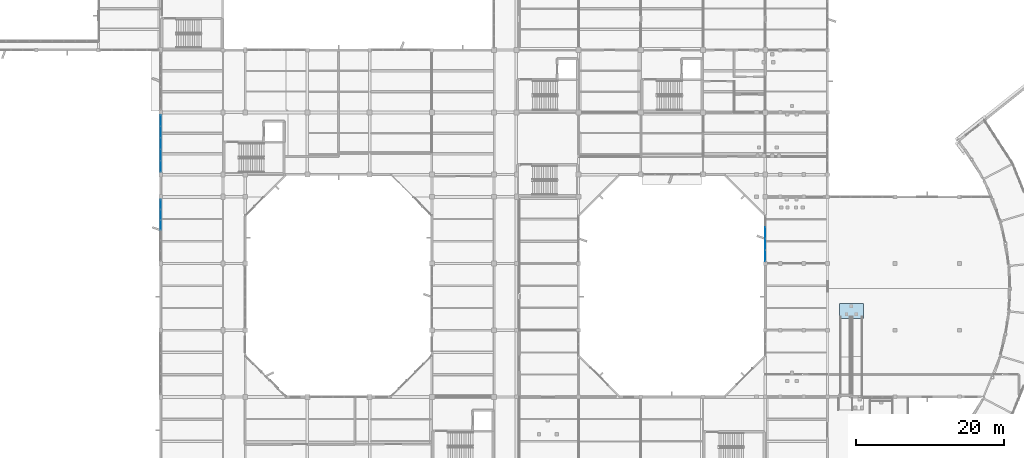
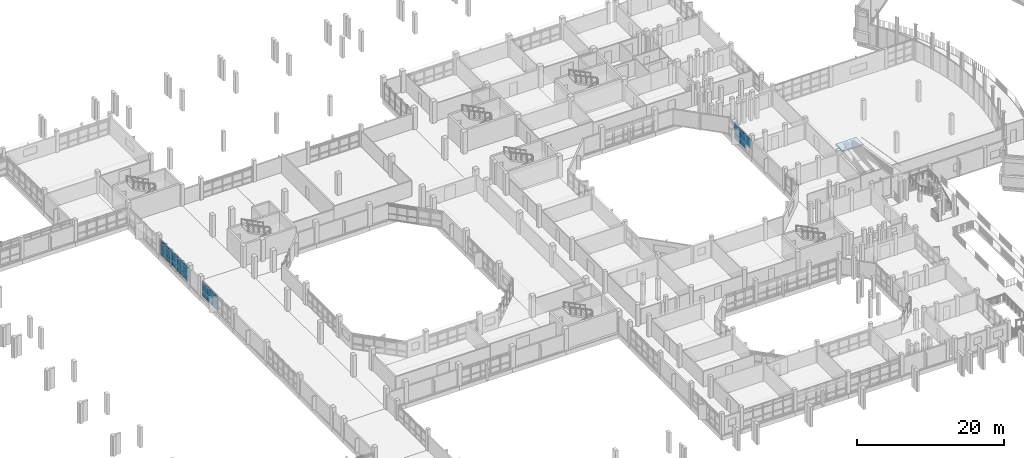
# One storey, part 57 of 104: 32 plates, 1 slab, 4 elements without a shape of their own.
"""IFC4 building model written with IfcOpenShell, lengths in metres."""

import ifcopenshell
import ifcopenshell.guid

model = None  # the IFC model being written
_history = None  # IfcOwnerHistory: only IFC2X3 demands one
_inside = {}  # id of a spatial element -> (the spatial element, [elements in it])
_under = {}  # id of a project, library or spatial element -> (it, [spatial elements below it])
_declared = {}  # id of a project -> (the project, [libraries it declares])
_typed = {}  # id of a type object -> (the type object, [elements of that type])
_made_of = {}  # id of a material, layer set ... -> (it, [elements and type objects made of it])


def new_model(schema):
    """Start an empty IFC model of exactly this schema.

    Asked for "IFC4X3", IfcOpenShell would pick the latest addendum, in which some entities
    have other attributes; the version numbers below select the first issue.
    IFC2X3 requires an IfcOwnerHistory on every rooted entity: one is made here for all.
    """
    global model, _history
    if schema == "IFC4X3":
        model = ifcopenshell.file(schema_version=(4, 3, 0, 0))
    else:
        model = ifcopenshell.file(schema=schema)
    _inside.clear()
    _under.clear()
    _declared.clear()
    _typed.clear()
    _made_of.clear()
    _history = None
    if model.schema == "IFC2X3":
        org = make("IfcOrganization", Name="unknown")
        user = make(
            "IfcPersonAndOrganization",
            ThePerson=make("IfcPerson", FamilyName="unknown"),
            TheOrganization=org,
        )
        app = make(
            "IfcApplication",
            ApplicationDeveloper=org,
            Version="unknown",
            ApplicationFullName="unknown",
            ApplicationIdentifier="unknown",
        )
        _history = make(
            "IfcOwnerHistory",
            OwningUser=user,
            OwningApplication=app,
            ChangeAction="ADDED",
            CreationDate=0,
        )
    return model


def make(cls, **values):
    """One entity of the class cls with the attributes given. An attribute that is None is left unset."""
    return model.create_entity(
        cls, **{name: value for name, value in values.items() if value is not None}
    )


def rooted(cls, **values):
    """An entity with a GlobalId (a new one), such as an element, a storey or a relation."""
    return make(cls, GlobalId=ifcopenshell.guid.new(), OwnerHistory=_history, **values)


def si_unit(unit_type, name, prefix=None):
    """IfcSIUnit, for example si_unit("LENGTHUNIT", "METRE", prefix="MILLI")."""
    return make("IfcSIUnit", UnitType=unit_type, Prefix=prefix, Name=name)


def assignment(units):
    """IfcUnitAssignment: the units of a project."""
    return None if units is None else make("IfcUnitAssignment", Units=units)


def point(xyz):
    """IfcCartesianPoint."""
    return None if xyz is None else make("IfcCartesianPoint", Coordinates=xyz)


def direction(xyz):
    """IfcDirection."""
    return None if xyz is None else make("IfcDirection", DirectionRatios=xyz)


def frame(location, z_axis=None, x_axis=None):
    """IfcAxis2Placement3D, a coordinate frame: its origin and axes. An axis left out is left unset."""
    return make(
        "IfcAxis2Placement3D",
        Location=point(location),
        Axis=direction(z_axis),
        RefDirection=direction(x_axis),
    )


def frame_2d(location, x_axis=None):
    """IfcAxis2Placement2D, a coordinate frame in the plane: its origin and x axis."""
    return make(
        "IfcAxis2Placement2D", Location=point(location), RefDirection=direction(x_axis)
    )


def origin():
    """The frame at (0, 0, 0) with its axes left unset."""
    return frame((0.0, 0.0, 0.0))


def origin_2d():
    """The frame at (0, 0) in the plane with its x axis left unset."""
    return frame_2d((0.0, 0.0))


def place(relative_to, where):
    """IfcLocalPlacement: puts the frame where relative to a parent placement (None: the world)."""
    return make(
        "IfcLocalPlacement", PlacementRelTo=relative_to, RelativePlacement=where
    )


def context(
    kind, dimensions, precision=None, world=None, true_north=None, identifier=None
):
    """IfcGeometricRepresentationContext, for example the 3D "Model" context."""
    return make(
        "IfcGeometricRepresentationContext",
        ContextIdentifier=identifier,
        ContextType=kind,
        CoordinateSpaceDimension=dimensions,
        Precision=precision,
        WorldCoordinateSystem=world,
        TrueNorth=true_north,
    )


def subcontext(parent, identifier, kind, view, scale=None):
    """IfcGeometricRepresentationSubContext, for example "Body" below "Model"."""
    return make(
        "IfcGeometricRepresentationSubContext",
        ContextIdentifier=identifier,
        ContextType=kind,
        ParentContext=parent,
        TargetScale=scale,
        TargetView=view,
    )


def project(units=None, contexts=None):
    """IfcProject with its units and contexts."""
    return rooted(
        "IfcProject",
        Name="project",
        RepresentationContexts=contexts,
        UnitsInContext=assignment(units),
    )


def spatial(cls, under=None, at=None, **own):
    """A site, building, storey or space (cls), placed at a placement, below another one or the project."""
    s = rooted(cls, ObjectPlacement=at, **own)
    if under is not None:
        _under.setdefault(under.id(), (under, []))[1].append(s)
    return s


def polyline(points):
    """IfcPolyline through the points."""
    return make("IfcPolyline", Points=[point(p) for p in points])


def profile(cls, at=None, kind="AREA", **sizes):
    """A parametric profile (cls). Its sizes go by their IFC names, for example OverallWidth=200.0."""
    return make(cls, ProfileType=kind, Position=at, **sizes)


def rectangle(**sizes):
    """IfcRectangleProfileDef."""
    return profile("IfcRectangleProfileDef", **sizes)


def outline(outer, holes=None, kind="AREA"):
    """IfcArbitraryClosedProfileDef: a profile drawn as a closed curve; with holes, ...WithVoids."""
    if holes is None:
        return make("IfcArbitraryClosedProfileDef", ProfileType=kind, OuterCurve=outer)
    return make(
        "IfcArbitraryProfileDefWithVoids",
        ProfileType=kind,
        OuterCurve=outer,
        InnerCurves=holes,
    )


def extrude(swept, where, along, depth):
    """IfcExtrudedAreaSolid: the profile swept, set in the frame where, extruded along a direction by depth."""
    return make(
        "IfcExtrudedAreaSolid",
        SweptArea=swept,
        Position=where,
        ExtrudedDirection=direction(along),
        Depth=depth,
    )


def shape(context_of_items, identifier, shape_type, items):
    """IfcShapeRepresentation: the items that make up one representation, for example the "Body"."""
    return make(
        "IfcShapeRepresentation",
        ContextOfItems=context_of_items,
        RepresentationIdentifier=identifier,
        RepresentationType=shape_type,
        Items=items,
    )


def material(Name=None, Category=None):
    """IfcMaterial."""
    return make("IfcMaterial", Name=Name, Category=Category)


def layer(
    of_material, thickness, ventilated=None, Name=None, Category=None, Priority=None
):
    """IfcMaterialLayer: one layer of a wall or slab, of a material (None: an air gap)."""
    return make(
        "IfcMaterialLayer",
        Material=of_material,
        LayerThickness=thickness,
        IsVentilated=ventilated,
        Name=Name,
        Category=Category,
        Priority=Priority,
    )


def layer_set(layers, Name=None):
    """IfcMaterialLayerSet."""
    return make("IfcMaterialLayerSet", MaterialLayers=layers, LayerSetName=Name)


def made_of(thing, what):
    """Note that an element or type object is made of a material, layer set ...; save() writes the relation."""
    if what is not None:
        _made_of.setdefault(what.id(), (what, []))[1].append(thing)
    return thing


def type_object(cls, material=None, **own):
    """A type object (cls), such as IfcWallType, which elements share."""
    return made_of(rooted(cls, **own), material)


def element(
    cls,
    number,
    at=None,
    inside=None,
    cuts=None,
    type_object=None,
    material=None,
    context=None,
    identifier="Body",
    shape_type=None,
    held_by="IfcProductDefinitionShape",
    body=None,
    shapes=None,
    **own,
):
    """One element of the class cls, such as IfcWall. Its Tag is "e" and its number.

    at: its placement. inside: the storey or other place that contains it. cuts: it is an
    opening in that element (IfcRelVoidsElement). A single representation is given by context,
    identifier, shape_type and body (its items); several are given by shapes. held_by: the class
    of the entity that holds the representations. save() writes the other relations.
    """
    e = rooted(cls, Tag="e%d" % number, ObjectPlacement=at, **own)
    if body is not None:
        shapes = [shape(context, identifier, shape_type, body)]
    if shapes is not None:
        e.Representation = make(held_by, Representations=shapes)
    if inside is not None:
        _inside.setdefault(inside.id(), (inside, []))[1].append(e)
    if cuts is not None:
        rooted(
            "IfcRelVoidsElement", RelatingBuildingElement=cuts, RelatedOpeningElement=e
        )
    if type_object is not None:
        _typed.setdefault(type_object.id(), (type_object, []))[1].append(e)
    return made_of(e, material)


def aggregate(whole, parts):
    """IfcRelAggregates: a whole, such as a stair, and the parts it consists of."""
    return rooted("IfcRelAggregates", RelatingObject=whole, RelatedObjects=parts)


def save(model, path):
    """Write the relations noted so far, then the file.

    IfcRelAggregates (storeys below a building ...), IfcRelContainedInSpatialStructure (elements
    in a storey), IfcRelDefinesByType, IfcRelAssociatesMaterial and IfcRelDeclares: one each for
    every whole, place, type object, material and project.
    """
    for whole, parts in _under.values():
        aggregate(whole, parts)
    for where, things in _inside.values():
        rooted(
            "IfcRelContainedInSpatialStructure",
            RelatedElements=things,
            RelatingStructure=where,
        )
    for kind, things in _typed.values():
        rooted("IfcRelDefinesByType", RelatedObjects=things, RelatingType=kind)
    for what, things in _made_of.values():
        rooted("IfcRelAssociatesMaterial", RelatedObjects=things, RelatingMaterial=what)
    for by, libraries in _declared.values():
        rooted("IfcRelDeclares", RelatingContext=by, RelatedDefinitions=libraries)
    model.write(path)


model = new_model("IFC4")

# Units and contexts
model_context = context("Model", 3, precision=1e-05, world=origin(), true_north=direction((0.0, 1.0)))
body_context = subcontext(model_context, "Body", "Model", "MODEL_VIEW")
ifc_project = project(units=[si_unit("LENGTHUNIT", "METRE"), si_unit("AREAUNIT", "SQUARE_METRE"), si_unit("VOLUMEUNIT", "CUBIC_METRE"), si_unit("PLANEANGLEUNIT", "RADIAN"), si_unit("MASSUNIT", "GRAM", prefix="KILO")], contexts=[model_context])

# Site, building, storey
site_placement = place(None, origin())
site = spatial("IfcSite", under=ifc_project, at=site_placement, CompositionType="ELEMENT")
building_placement = place(site_placement, origin())
building = spatial("IfcBuilding", under=site, at=building_placement, Name="Vanh Quang Courtyard School", CompositionType="ELEMENT")
storey_placement = place(building_placement, frame((0.0, 0.0, 4.199951171875)))
storey = spatial("IfcBuildingStorey", under=building, at=storey_placement, Name="L01", CompositionType="ELEMENT", Elevation=4.199951171875)

# Curtain wall, plates
ifc_material_1 = material(Name="Thermally broken aluminium unitised curtain wall", Category="aluminium")
curtain_wall_type_1 = type_object("IfcCurtainWallType", Name="CW-SYS-21", PredefinedType="NOTDEFINED", material=ifc_material_1)
curtain_wall_1_placement = place(storey_placement, origin())
curtain_wall_1 = element("IfcCurtainWall", 1, at=curtain_wall_1_placement, inside=storey, type_object=curtain_wall_type_1, Name="Curtain Wall CW-21 (L01)", PredefinedType="NOTDEFINED")
ifc_material_2 = material(Name="Low-E laminated double glazing", Category="glass")
ifc_layer_1 = layer(ifc_material_2, 0.028076171875)
ifc_layer_set_1 = layer_set([ifc_layer_1], Name="Low-E laminated double glazing")
plate_type_1 = type_object("IfcPlateType", Name="CW-PNL-28", PredefinedType="CURTAIN_PANEL", material=ifc_layer_set_1)
plate_1_placement = place(storey_placement, frame((29.39990234375, 72.521484375, 0.06005859375), z_axis=(0.0, 0.0, 1.0), x_axis=(0.0, 1.0, 0.0)))
plate_1 = element("IfcPlate", 2, at=plate_1_placement, type_object=plate_type_1, Name="CW-21 panel 1.1", PredefinedType="CURTAIN_PANEL", context=body_context, shape_type="SweptSolid", body=[
    extrude(rectangle(XDim=1.456787109375, YDim=0.028076171875, at=origin_2d()), origin(), (0.0, 0.0, 1.0), 0.860107421875),
])
plate_2_placement = place(storey_placement, frame((29.39990234375, 72.521484375, 0.97998046875), z_axis=(0.0, 0.0, 1.0), x_axis=(0.0, 1.0, 0.0)))
plate_2 = element("IfcPlate", 3, at=plate_2_placement, type_object=plate_type_1, Name="CW-21 panel 1.2", PredefinedType="CURTAIN_PANEL", context=body_context, shape_type="SweptSolid", body=[
    extrude(rectangle(XDim=1.456787109375, YDim=0.028076171875, at=origin_2d()), origin(), (0.0, 0.0, 1.0), 1.239990234375),
])
plate_3_placement = place(storey_placement, frame((29.39990234375, 72.521484375, 2.2802734375), z_axis=(0.0, 0.0, 1.0), x_axis=(0.0, 1.0, 0.0)))
plate_3 = element("IfcPlate", 4, at=plate_3_placement, type_object=plate_type_1, Name="CW-21 panel 1.3", PredefinedType="CURTAIN_PANEL", context=body_context, shape_type="SweptSolid", body=[
    extrude(rectangle(XDim=1.456787109375, YDim=0.028076171875, at=origin_2d()), origin(), (0.0, 0.0, 1.0), 0.239990234375),
])
plate_4_placement = place(storey_placement, frame((29.39990234375, 74.05322265625, 0.06005859375), z_axis=(0.0, 0.0, 1.0), x_axis=(0.0, 1.0, 0.0)))
plate_4 = element("IfcPlate", 5, at=plate_4_placement, type_object=plate_type_1, Name="CW-21 panel 2.1", PredefinedType="CURTAIN_PANEL", context=body_context, shape_type="SweptSolid", body=[
    extrude(rectangle(XDim=1.48681640625, YDim=0.028076171875, at=origin_2d()), origin(), (0.0, 0.0, 1.0), 0.860107421875),
])
plate_5_placement = place(storey_placement, frame((29.39990234375, 74.05322265625, 0.97998046875), z_axis=(0.0, 0.0, 1.0), x_axis=(0.0, 1.0, 0.0)))
plate_5 = element("IfcPlate", 6, at=plate_5_placement, type_object=plate_type_1, Name="CW-21 panel 2.2", PredefinedType="CURTAIN_PANEL", context=body_context, shape_type="SweptSolid", body=[
    extrude(rectangle(XDim=1.48681640625, YDim=0.028076171875, at=origin_2d()), origin(), (0.0, 0.0, 1.0), 1.239990234375),
])
plate_6_placement = place(storey_placement, frame((29.39990234375, 74.05322265625, 2.2802734375), z_axis=(0.0, 0.0, 1.0), x_axis=(0.0, 1.0, 0.0)))
plate_6 = element("IfcPlate", 7, at=plate_6_placement, type_object=plate_type_1, Name="CW-21 panel 2.3", PredefinedType="CURTAIN_PANEL", context=body_context, shape_type="SweptSolid", body=[
    extrude(rectangle(XDim=1.48681640625, YDim=0.028076171875, at=origin_2d()), origin(), (0.0, 0.0, 1.0), 0.239990234375),
])
plate_7_placement = place(storey_placement, frame((29.39990234375, 75.60009765625, 0.06005859375), z_axis=(0.0, 0.0, 1.0), x_axis=(0.0, 1.0, 0.0)))
plate_7 = element("IfcPlate", 8, at=plate_7_placement, type_object=plate_type_1, Name="CW-21 panel 3.1", PredefinedType="CURTAIN_PANEL", context=body_context, shape_type="SweptSolid", body=[
    extrude(rectangle(XDim=1.48681640625, YDim=0.028076171875, at=origin_2d()), origin(), (0.0, 0.0, 1.0), 0.860107421875),
])
plate_8_placement = place(storey_placement, frame((29.39990234375, 75.60009765625, 0.97998046875), z_axis=(0.0, 0.0, 1.0), x_axis=(0.0, 1.0, 0.0)))
plate_8 = element("IfcPlate", 9, at=plate_8_placement, type_object=plate_type_1, Name="CW-21 panel 3.2", PredefinedType="CURTAIN_PANEL", context=body_context, shape_type="SweptSolid", body=[
    extrude(rectangle(XDim=1.48681640625, YDim=0.028076171875, at=origin_2d()), origin(), (0.0, 0.0, 1.0), 1.239990234375),
])
plate_9_placement = place(storey_placement, frame((29.39990234375, 75.60009765625, 2.2802734375), z_axis=(0.0, 0.0, 1.0), x_axis=(0.0, 1.0, 0.0)))
plate_9 = element("IfcPlate", 10, at=plate_9_placement, type_object=plate_type_1, Name="CW-21 panel 3.3", PredefinedType="CURTAIN_PANEL", context=body_context, shape_type="SweptSolid", body=[
    extrude(rectangle(XDim=1.48681640625, YDim=0.028076171875, at=origin_2d()), origin(), (0.0, 0.0, 1.0), 0.239990234375),
])
plate_10_placement = place(storey_placement, frame((29.39990234375, 77.146728515625, 0.06005859375), z_axis=(0.0, 0.0, 1.0), x_axis=(0.0, 1.0, 0.0)))
plate_10 = element("IfcPlate", 11, at=plate_10_placement, type_object=plate_type_1, Name="CW-21 panel 4.1", PredefinedType="CURTAIN_PANEL", context=body_context, shape_type="SweptSolid", body=[
    extrude(rectangle(XDim=1.48681640625, YDim=0.028076171875, at=origin_2d()), origin(), (0.0, 0.0, 1.0), 0.860107421875),
])
plate_11_placement = place(storey_placement, frame((29.39990234375, 77.146728515625, 0.97998046875), z_axis=(0.0, 0.0, 1.0), x_axis=(0.0, 1.0, 0.0)))
plate_11 = element("IfcPlate", 12, at=plate_11_placement, type_object=plate_type_1, Name="CW-21 panel 4.2", PredefinedType="CURTAIN_PANEL", context=body_context, shape_type="SweptSolid", body=[
    extrude(rectangle(XDim=1.48681640625, YDim=0.028076171875, at=origin_2d()), origin(), (0.0, 0.0, 1.0), 1.239990234375),
])
plate_12_placement = place(storey_placement, frame((29.39990234375, 77.146728515625, 2.2802734375), z_axis=(0.0, 0.0, 1.0), x_axis=(0.0, 1.0, 0.0)))
plate_12 = element("IfcPlate", 13, at=plate_12_placement, type_object=plate_type_1, Name="CW-21 panel 4.3", PredefinedType="CURTAIN_PANEL", context=body_context, shape_type="SweptSolid", body=[
    extrude(rectangle(XDim=1.48681640625, YDim=0.028076171875, at=origin_2d()), origin(), (0.0, 0.0, 1.0), 0.239990234375),
])
plate_13_placement = place(storey_placement, frame((29.39990234375, 78.6787109375, 0.06005859375), z_axis=(0.0, 0.0, 1.0), x_axis=(0.0, 1.0, 0.0)))
plate_13 = element("IfcPlate", 14, at=plate_13_placement, type_object=plate_type_1, Name="CW-21 panel 5.1", PredefinedType="CURTAIN_PANEL", context=body_context, shape_type="SweptSolid", body=[
    extrude(rectangle(XDim=1.456787109375, YDim=0.028076171875, at=origin_2d()), origin(), (0.0, 0.0, 1.0), 0.860107421875),
])
plate_14_placement = place(storey_placement, frame((29.39990234375, 78.6787109375, 0.97998046875), z_axis=(0.0, 0.0, 1.0), x_axis=(0.0, 1.0, 0.0)))
plate_14 = element("IfcPlate", 15, at=plate_14_placement, type_object=plate_type_1, Name="CW-21 panel 5.2", PredefinedType="CURTAIN_PANEL", context=body_context, shape_type="SweptSolid", body=[
    extrude(rectangle(XDim=1.456787109375, YDim=0.028076171875, at=origin_2d()), origin(), (0.0, 0.0, 1.0), 1.239990234375),
])
plate_15_placement = place(storey_placement, frame((29.39990234375, 78.6787109375, 2.2802734375), z_axis=(0.0, 0.0, 1.0), x_axis=(0.0, 1.0, 0.0)))
plate_15 = element("IfcPlate", 16, at=plate_15_placement, type_object=plate_type_1, Name="CW-21 panel 5.3", PredefinedType="CURTAIN_PANEL", context=body_context, shape_type="SweptSolid", body=[
    extrude(rectangle(XDim=1.456787109375, YDim=0.028076171875, at=origin_2d()), origin(), (0.0, 0.0, 1.0), 0.239990234375),
])
aggregate(curtain_wall_1, [plate_1, plate_2, plate_3, plate_4, plate_5, plate_6, plate_7, plate_8, plate_9, plate_10, plate_11, plate_12, plate_13, plate_14, plate_15])

curtain_wall_type_2 = type_object("IfcCurtainWallType", Name="CW-SYS-20", PredefinedType="NOTDEFINED", material=ifc_material_1)
curtain_wall_2_placement = place(storey_placement, origin())
curtain_wall_2 = element("IfcCurtainWall", 17, at=curtain_wall_2_placement, inside=storey, type_object=curtain_wall_type_2, Name="Curtain Wall CW-20 (L01)", PredefinedType="NOTDEFINED")
ifc_layer_2 = layer(ifc_material_2, 0.031982421875)
ifc_layer_set_2 = layer_set([ifc_layer_2], Name="Low-E laminated double glazing")
plate_type_2 = type_object("IfcPlateType", Name="CW-PNL-32", PredefinedType="CURTAIN_PANEL", material=ifc_layer_set_2)
plate_16_placement = place(storey_placement, frame((29.39990234375, 64.594482421875, 0.080078125), z_axis=(0.0, 0.0, 1.0), x_axis=(0.0, 1.0, 0.0)))
plate_16 = element("IfcPlate", 18, at=plate_16_placement, type_object=plate_type_2, Name="CW-20 panel 4.1", PredefinedType="CURTAIN_PANEL", context=body_context, shape_type="SweptSolid", body=[
    extrude(rectangle(XDim=1.30908203125, YDim=0.031982421875, at=origin_2d()), origin(), (0.0, 0.0, 1.0), 0.830078125),
])
plate_17_placement = place(storey_placement, frame((29.39990234375, 64.594482421875, 0.990234375), z_axis=(0.0, 0.0, 1.0), x_axis=(0.0, 1.0, 0.0)))
plate_17 = element("IfcPlate", 19, at=plate_17_placement, type_object=plate_type_2, Name="CW-20 panel 4.2", PredefinedType="CURTAIN_PANEL", context=body_context, shape_type="SweptSolid", body=[
    extrude(rectangle(XDim=1.30908203125, YDim=0.031982421875, at=origin_2d()), origin(), (0.0, 0.0, 1.0), 1.219970703125),
])
plate_18_placement = place(storey_placement, frame((29.39990234375, 64.594482421875, 2.2900390625), z_axis=(0.0, 0.0, 1.0), x_axis=(0.0, 1.0, 0.0)))
plate_18 = element("IfcPlate", 20, at=plate_18_placement, type_object=plate_type_2, Name="CW-20 panel 4.3", PredefinedType="CURTAIN_PANEL", context=body_context, shape_type="SweptSolid", body=[
    extrude(rectangle(XDim=1.30908203125, YDim=0.031982421875, at=origin_2d()), origin(), (0.0, 0.0, 1.0), 0.2099609375),
])
plate_19_placement = place(storey_placement, frame((29.39990234375, 65.9833984375, 0.080078125), z_axis=(0.0, 0.0, 1.0), x_axis=(0.0, 1.0, 0.0)))
plate_19 = element("IfcPlate", 21, at=plate_19_placement, type_object=plate_type_2, Name="CW-20 panel 5.1", PredefinedType="CURTAIN_PANEL", context=body_context, shape_type="SweptSolid", body=[
    extrude(rectangle(XDim=1.30908203125, YDim=0.031982421875, at=origin_2d()), origin(), (0.0, 0.0, 1.0), 0.830078125),
])
plate_20_placement = place(storey_placement, frame((29.39990234375, 65.9833984375, 0.990234375), z_axis=(0.0, 0.0, 1.0), x_axis=(0.0, 1.0, 0.0)))
plate_20 = element("IfcPlate", 22, at=plate_20_placement, type_object=plate_type_2, Name="CW-20 panel 5.2", PredefinedType="CURTAIN_PANEL", context=body_context, shape_type="SweptSolid", body=[
    extrude(rectangle(XDim=1.30908203125, YDim=0.031982421875, at=origin_2d()), origin(), (0.0, 0.0, 1.0), 1.219970703125),
])
plate_21_placement = place(storey_placement, frame((29.39990234375, 65.9833984375, 2.2900390625), z_axis=(0.0, 0.0, 1.0), x_axis=(0.0, 1.0, 0.0)))
plate_21 = element("IfcPlate", 23, at=plate_21_placement, type_object=plate_type_2, Name="CW-20 panel 5.3", PredefinedType="CURTAIN_PANEL", context=body_context, shape_type="SweptSolid", body=[
    extrude(rectangle(XDim=1.30908203125, YDim=0.031982421875, at=origin_2d()), origin(), (0.0, 0.0, 1.0), 0.2099609375),
])
plate_22_placement = place(storey_placement, frame((29.39990234375, 67.3525390625, 0.080078125), z_axis=(0.0, 0.0, 1.0), x_axis=(0.0, 1.0, 0.0)))
plate_22 = element("IfcPlate", 24, at=plate_22_placement, type_object=plate_type_2, Name="CW-20 panel 6.1", PredefinedType="CURTAIN_PANEL", context=body_context, shape_type="SweptSolid", body=[
    extrude(rectangle(XDim=1.26904296875, YDim=0.031982421875, at=origin_2d()), origin(), (0.0, 0.0, 1.0), 0.830078125),
])
plate_23_placement = place(storey_placement, frame((29.39990234375, 67.3525390625, 0.990234375), z_axis=(0.0, 0.0, 1.0), x_axis=(0.0, 1.0, 0.0)))
plate_23 = element("IfcPlate", 25, at=plate_23_placement, type_object=plate_type_2, Name="CW-20 panel 6.2", PredefinedType="CURTAIN_PANEL", context=body_context, shape_type="SweptSolid", body=[
    extrude(rectangle(XDim=1.26904296875, YDim=0.031982421875, at=origin_2d()), origin(), (0.0, 0.0, 1.0), 1.219970703125),
])
plate_24_placement = place(storey_placement, frame((29.39990234375, 67.3525390625, 2.2900390625), z_axis=(0.0, 0.0, 1.0), x_axis=(0.0, 1.0, 0.0)))
plate_24 = element("IfcPlate", 26, at=plate_24_placement, type_object=plate_type_2, Name="CW-20 panel 6.3", PredefinedType="CURTAIN_PANEL", context=body_context, shape_type="SweptSolid", body=[
    extrude(rectangle(XDim=1.26904296875, YDim=0.031982421875, at=origin_2d()), origin(), (0.0, 0.0, 1.0), 0.2099609375),
])
aggregate(curtain_wall_2, [plate_16, plate_17, plate_18, plate_19, plate_20, plate_21, plate_22, plate_23, plate_24])

curtain_wall_type_3 = type_object("IfcCurtainWallType", Name="CW-SYS-44", PredefinedType="NOTDEFINED", material=ifc_material_1)
curtain_wall_3_placement = place(storey_placement, origin())
curtain_wall_3 = element("IfcCurtainWall", 27, at=curtain_wall_3_placement, inside=storey, type_object=curtain_wall_type_3, Name="Curtain Wall CW-44 (L01)", PredefinedType="NOTDEFINED")
plate_25_placement = place(storey_placement, frame((111.0, 60.4501953125, 0.985107421875), z_axis=(0.0, 0.0, 1.0), x_axis=(0.0, 1.0, 0.0)))
plate_25 = element("IfcPlate", 28, at=plate_25_placement, type_object=plate_type_2, Name="CW-44 panel 1.2", PredefinedType="CURTAIN_PANEL", context=body_context, shape_type="SweptSolid", body=[
    extrude(rectangle(XDim=1.444580078125, YDim=0.031982421875, at=origin_2d()), origin(), (0.0, 0.0, 1.0), 1.22998046875),
])
plate_26_placement = place(storey_placement, frame((111.0, 60.4501953125, 2.28515625), z_axis=(0.0, 0.0, 1.0), x_axis=(0.0, 1.0, 0.0)))
plate_26 = element("IfcPlate", 29, at=plate_26_placement, type_object=plate_type_2, Name="CW-44 panel 1.3", PredefinedType="CURTAIN_PANEL", context=body_context, shape_type="SweptSolid", body=[
    extrude(rectangle(XDim=1.444580078125, YDim=0.031982421875, at=origin_2d()), origin(), (0.0, 0.0, 1.0), 0.264892578125),
])
plate_27_placement = place(storey_placement, frame((111.0, 61.982177734375, 0.06982421875), z_axis=(0.0, 0.0, 1.0), x_axis=(0.0, 1.0, 0.0)))
plate_27 = element("IfcPlate", 30, at=plate_27_placement, type_object=plate_type_2, Name="CW-44 panel 2.1", PredefinedType="CURTAIN_PANEL", context=body_context, shape_type="SweptSolid", body=[
    extrude(rectangle(XDim=1.4794921875, YDim=0.031982421875, at=origin_2d()), origin(), (0.0, 0.0, 1.0), 0.844970703125),
])
plate_28_placement = place(storey_placement, frame((111.0, 61.982177734375, 0.985107421875), z_axis=(0.0, 0.0, 1.0), x_axis=(0.0, 1.0, 0.0)))
plate_28 = element("IfcPlate", 31, at=plate_28_placement, type_object=plate_type_2, Name="CW-44 panel 2.2", PredefinedType="CURTAIN_PANEL", context=body_context, shape_type="SweptSolid", body=[
    extrude(rectangle(XDim=1.4794921875, YDim=0.031982421875, at=origin_2d()), origin(), (0.0, 0.0, 1.0), 1.22998046875),
])
plate_29_placement = place(storey_placement, frame((111.0, 61.982177734375, 2.28515625), z_axis=(0.0, 0.0, 1.0), x_axis=(0.0, 1.0, 0.0)))
plate_29 = element("IfcPlate", 32, at=plate_29_placement, type_object=plate_type_2, Name="CW-44 panel 2.3", PredefinedType="CURTAIN_PANEL", context=body_context, shape_type="SweptSolid", body=[
    extrude(rectangle(XDim=1.4794921875, YDim=0.031982421875, at=origin_2d()), origin(), (0.0, 0.0, 1.0), 0.264892578125),
])
plate_30_placement = place(storey_placement, frame((111.0, 63.53173828125, 0.06982421875), z_axis=(0.0, 0.0, 1.0), x_axis=(0.0, 1.0, 0.0)))
plate_30 = element("IfcPlate", 33, at=plate_30_placement, type_object=plate_type_2, Name="CW-44 panel 3.1", PredefinedType="CURTAIN_PANEL", context=body_context, shape_type="SweptSolid", body=[
    extrude(rectangle(XDim=1.4794921875, YDim=0.031982421875, at=origin_2d()), origin(), (0.0, 0.0, 1.0), 0.844970703125),
])
plate_31_placement = place(storey_placement, frame((111.0, 63.53173828125, 0.985107421875), z_axis=(0.0, 0.0, 1.0), x_axis=(0.0, 1.0, 0.0)))
plate_31 = element("IfcPlate", 34, at=plate_31_placement, type_object=plate_type_2, Name="CW-44 panel 3.2", PredefinedType="CURTAIN_PANEL", context=body_context, shape_type="SweptSolid", body=[
    extrude(rectangle(XDim=1.4794921875, YDim=0.031982421875, at=origin_2d()), origin(), (0.0, 0.0, 1.0), 1.22998046875),
])
plate_32_placement = place(storey_placement, frame((111.0, 63.53173828125, 2.28515625), z_axis=(0.0, 0.0, 1.0), x_axis=(0.0, 1.0, 0.0)))
plate_32 = element("IfcPlate", 35, at=plate_32_placement, type_object=plate_type_2, Name="CW-44 panel 3.3", PredefinedType="CURTAIN_PANEL", context=body_context, shape_type="SweptSolid", body=[
    extrude(rectangle(XDim=1.4794921875, YDim=0.031982421875, at=origin_2d()), origin(), (0.0, 0.0, 1.0), 0.264892578125),
])
aggregate(curtain_wall_3, [plate_25, plate_26, plate_27, plate_28, plate_29, plate_30, plate_31, plate_32])

# Ramp, slab
ifc_material_3 = material(Name="Concrete C30/37", Category="concrete")
ramp_type = type_object("IfcRampType", Name="RAMP-ACC-1400", PredefinedType="TWO_STRAIGHT_RUN_RAMP", material=ifc_material_3)
ramp_placement = place(storey_placement, origin())
ramp = element("IfcRamp", 36, at=ramp_placement, inside=storey, type_object=ramp_type, Name="Ramp RMP-02 (L01)", PredefinedType="TWO_STRAIGHT_RUN_RAMP")
ifc_layer_3 = layer(ifc_material_3, 0.219970703125)
ifc_layer_set_3 = layer_set([ifc_layer_3], Name="Concrete C30/37")
slab_type = type_object("IfcSlabType", Name="SLB-RMPLND-220", PredefinedType="LANDING", material=ifc_layer_set_3)
slab_placement = place(storey_placement, frame((0.0, 0.0, 1.580078125)))
slab = element("IfcSlab", 37, at=slab_placement, type_object=slab_type, Name="Slab SL-RMP (L01)", PredefinedType="LANDING", context=body_context, shape_type="SweptSolid", body=[
    extrude(outline(polyline([(124.239990234375, 52.0), (124.239990234375, 54.0), (121.0, 54.0), (121.0, 52.0), (124.239990234375, 52.0)])), origin(), (0.0, 0.0, 1.0), 0.219970703125),
])
aggregate(ramp, [slab])

save(model, "model.ifc")
